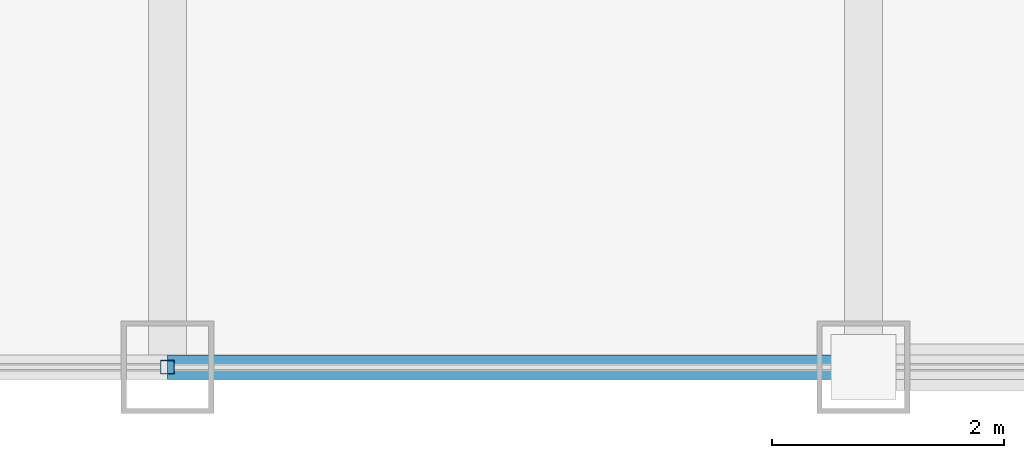
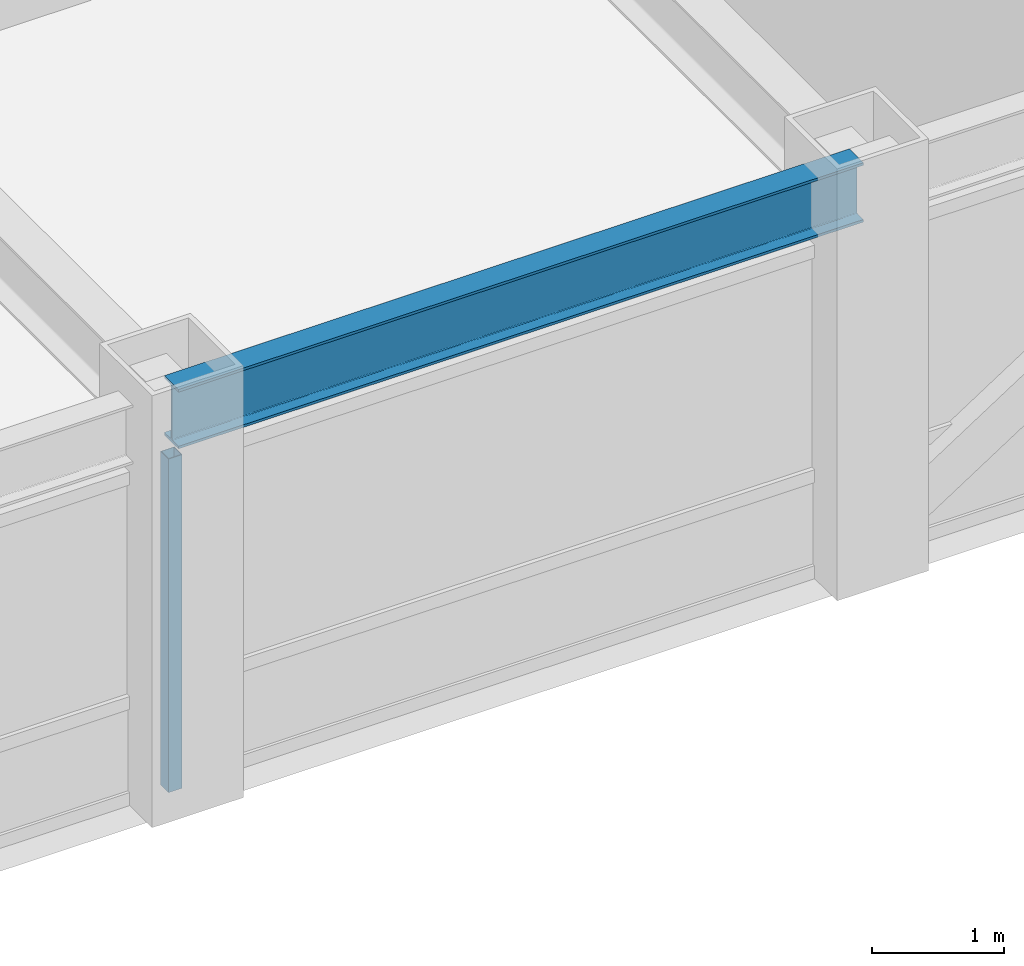
# One storey, part 4 of 28: 1 beam, 1 member, 1 element without a shape of its own.
"""IFC4 building model written with IfcOpenShell, lengths in metres."""

from ifc_helpers import new_model, si_unit, direction, frame, origin, origin_2d, place, context, subcontext, project, spatial, hollow_rectangle, i_section, extrude, source, transform, mapped, material, material_profile, profile_set, type_object, element, aggregate, save


model = new_model("IFC4")

# Units and contexts
model_context = context("Model", 3, precision=1e-05, world=origin(), true_north=direction((0.0, 1.0)))
body_context = subcontext(model_context, "Body", "Model", "MODEL_VIEW")
ifc_project = project(units=[si_unit("LENGTHUNIT", "METRE"), si_unit("AREAUNIT", "SQUARE_METRE"), si_unit("VOLUMEUNIT", "CUBIC_METRE"), si_unit("PLANEANGLEUNIT", "RADIAN"), si_unit("MASSUNIT", "GRAM", prefix="KILO")], contexts=[model_context])

# Site, building, storey
site_placement = place(None, origin())
site = spatial("IfcSite", under=ifc_project, at=site_placement, CompositionType="ELEMENT")
building_placement = place(site_placement, origin())
building = spatial("IfcBuilding", under=site, at=building_placement, Name="Khorayat Bourse Tower", CompositionType="ELEMENT")
storey_placement = place(building_placement, frame((0.0, 0.0, 330.300048828125)))
storey = spatial("IfcBuildingStorey", under=building, at=storey_placement, Name="L78", CompositionType="ELEMENT", Elevation=330.300048828125)

# Beam
ifc_material_1 = material(Name="Steel ASTM A992 Grade 50", Category="steel")
ifc_material_profile_1 = material_profile(ifc_material_1, i_section(OverallWidth=0.214111328125, OverallDepth=0.549072265625, WebThickness=0.0146484375, FlangeThickness=0.023681640625, FilletRadius=0.013916015625, at=origin_2d()), Name="W530X138")
ifc_profile_set_1 = profile_set([ifc_material_profile_1], Name="Steel ASTM A992 Grade 50")
beam_type = type_object("IfcBeamType", Name="BM-SPAN-530", PredefinedType="SPANDREL", material=ifc_profile_set_1)
shared_shape_1 = source(origin(), body_context, "Body", "SweptSolid", [
    extrude(i_section(OverallWidth=0.214111328125, OverallDepth=0.549072265625, WebThickness=0.0146484375, FlangeThickness=0.023681640625, FilletRadius=0.013916015625, at=origin_2d()), origin(), (0.0, 0.0, 1.0), 6.0),
])
beam_placement = place(storey_placement, frame((0.0, -26.0, 3.46533203125), z_axis=(1.0, 0.0, 0.0), x_axis=(0.0, 1.0, 0.0)))
element("IfcBeam", 1, at=beam_placement, inside=storey, type_object=beam_type, Name="L78 BM-SPAN-530 BM-L78-SPN-027", PredefinedType="SPANDREL", context=body_context, shape_type="MappedRepresentation", body=[
    mapped(shared_shape_1, transform((0.0, 0.0, 0.0), scale=1.0)),
])

# Curtain wall, member
ifc_material_2 = material(Name="Aluminium EN AW-6063 T6", Category="aluminium")
curtain_wall_type = type_object("IfcCurtainWallType", Name="CW-SYS-04", PredefinedType="NOTDEFINED", material=ifc_material_2)
curtain_wall_placement = place(storey_placement, origin())
curtain_wall = element("IfcCurtainWall", 2, at=curtain_wall_placement, inside=storey, type_object=curtain_wall_type, Name="L78 Curtain Wall CW-L78-S1", PredefinedType="NOTDEFINED")
ifc_material_profile_2 = material_profile(ifc_material_2, hollow_rectangle(XDim=0.1201171875, YDim=0.1201171875, WallThickness=0.0048828125, at=origin_2d()), Name="ALU 120x120x5")
ifc_profile_set_2 = profile_set([ifc_material_profile_2], Name="Aluminium EN AW-6063 T6")
member_type = type_object("IfcMemberType", Name="CWM-VERT-120", PredefinedType="MULLION", material=ifc_profile_set_2)
shared_shape_2 = source(origin(), body_context, "Body", "SweptSolid", [
    extrude(hollow_rectangle(XDim=0.1201171875, YDim=0.1201171875, WallThickness=0.0048828125, at=origin_2d()), origin(), (0.0, 0.0, 1.0), 3.08984375),
])
member_placement = place(storey_placement, frame((0.0, -26.0, 0.0), z_axis=(0.0, 0.0, 1.0), x_axis=(0.0, 1.0, 0.0)))
member = element("IfcMember", 3, at=member_placement, type_object=member_type, Name="CW-L78-S1 Vertical Mullion 2", PredefinedType="MULLION", context=body_context, shape_type="MappedRepresentation", body=[
    mapped(shared_shape_2, transform((0.0, 0.0, 0.0), scale=1.0)),
])
aggregate(curtain_wall, [member])

save(model, "model.ifc")
